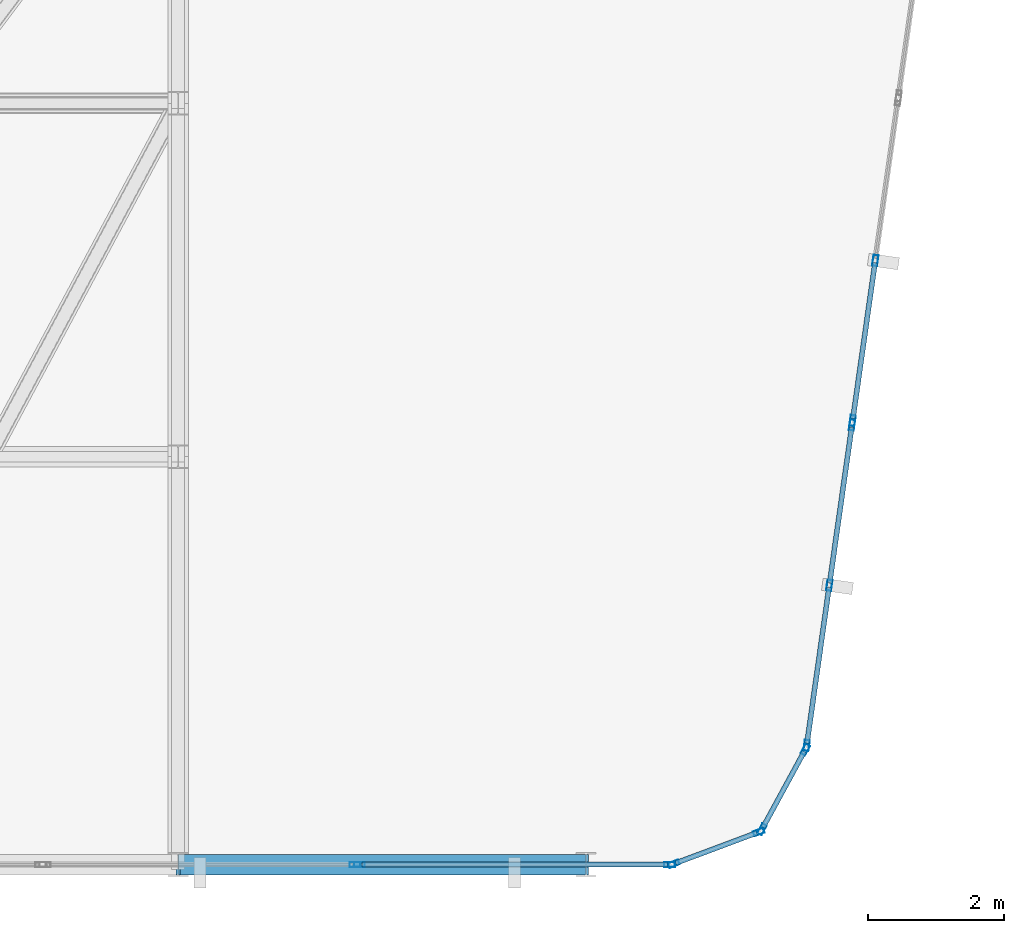
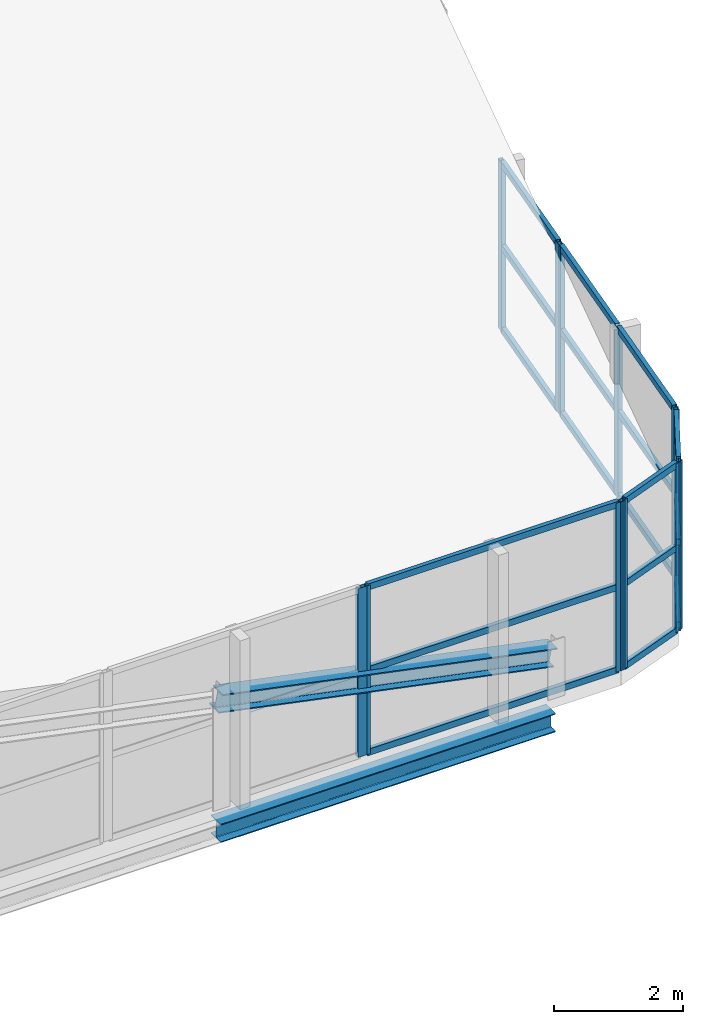
# One storey, part 20 of 74: 30 members, 2 beams, 6 elements without a shape of their own.
"""IFC4 building model written with IfcOpenShell, lengths in metres."""

from ifc_helpers import new_model, si_unit, direction, frame, origin, origin_2d, place, context, subcontext, project, spatial, hollow_rectangle, i_section, extrude, material, layer, layer_set, material_profile, profile_set, type_object, element, aggregate, save


model = new_model("IFC4")

# Units and contexts
model_context = context("Model", 3, precision=1e-05, world=origin(), true_north=direction((0.0, 1.0)))
body_context = subcontext(model_context, "Body", "Model", "MODEL_VIEW")
ifc_project = project(units=[si_unit("LENGTHUNIT", "METRE"), si_unit("AREAUNIT", "SQUARE_METRE"), si_unit("VOLUMEUNIT", "CUBIC_METRE"), si_unit("PLANEANGLEUNIT", "RADIAN"), si_unit("MASSUNIT", "GRAM", prefix="KILO")], contexts=[model_context])

# Site, building, storey
site_placement = place(None, origin())
site = spatial("IfcSite", under=ifc_project, at=site_placement, CompositionType="ELEMENT")
building_placement = place(site_placement, origin())
building = spatial("IfcBuilding", under=site, at=building_placement, Name="Keshet Zoharim Tower", CompositionType="ELEMENT")
storey_placement = place(building_placement, frame((0.0, 0.0, 320.0)))
storey = spatial("IfcBuildingStorey", under=building, at=storey_placement, Name="RF", CompositionType="ELEMENT", Elevation=320.0)

# Beams
ifc_material_1 = material(Name="Steel S355", Category="steel")
ifc_material_profile_1 = material_profile(ifc_material_1, i_section(OverallWidth=0.300048828125, OverallDepth=0.35009765625, WebThickness=0.010009765625, FlangeThickness=0.017578125, FilletRadius=0.027099609375, at=origin_2d()), Name="HEA360")
ifc_profile_set_1 = profile_set([ifc_material_profile_1], Name="Steel S355")
beam_type_1 = type_object("IfcBeamType", Name="BM-PRI-HA360", PredefinedType="BEAM", material=ifc_profile_set_1)
beam_1_placement = place(storey_placement, frame((33.0, 6.699951171875, -0.485107421875), z_axis=(1.0, 0.0, 0.0), x_axis=(0.0, 1.0, 0.0)))
element("IfcBeam", 1, at=beam_1_placement, inside=storey, type_object=beam_type_1, Name="RF Primary Girder X-003", PredefinedType="BEAM", context=body_context, shape_type="SweptSolid", body=[
    extrude(i_section(OverallWidth=0.300048828125, OverallDepth=0.35009765625, WebThickness=0.010009765625, FlangeThickness=0.017578125, FilletRadius=0.027099609375, at=origin_2d()), origin(), (0.0, 0.0, 1.0), 6.0),
])
ifc_material_profile_2 = material_profile(ifc_material_1, i_section(OverallWidth=0.300048828125, OverallDepth=0.340087890625, WebThickness=0.011962890625, FlangeThickness=0.021484375, FilletRadius=0.027099609375, at=origin_2d()), Name="HEB340")
ifc_profile_set_2 = profile_set([ifc_material_profile_2], Name="Steel S355")
beam_type_2 = type_object("IfcBeamType", Name="BM-SPN-HB340", PredefinedType="SPANDREL", material=ifc_profile_set_2)
beam_2_placement = place(storey_placement, frame((39.0, 6.699951171875, 0.74609375), z_axis=(-0.979831468779, 0.0, 0.199825655986), x_axis=(0.0, -1.0, 0.0)))
element("IfcBeam", 2, at=beam_2_placement, inside=storey, type_object=beam_type_2, Name="Crown Sloped Perimeter Ring Beam 03", PredefinedType="SPANDREL", context=body_context, shape_type="SweptSolid", body=[
    extrude(i_section(OverallWidth=0.300048828125, OverallDepth=0.340087890625, WebThickness=0.011962890625, FlangeThickness=0.021484375, FilletRadius=0.027099609375, at=origin_2d()), origin(), (0.0, 0.0, 1.0), 6.12353515625),
])

# Curtain wall, members
ifc_material_2 = material(Name="Aluminium 6063-T6", Category="aluminium")
ifc_layer = layer(ifc_material_2, 0.260009765625)
ifc_layer_set = layer_set([ifc_layer], Name="Aluminium 6063-T6")
curtain_wall_type = type_object("IfcCurtainWallType", Name="CW-SYS-06", PredefinedType="NOTDEFINED", material=ifc_layer_set)
curtain_wall_1_placement = place(storey_placement, origin())
curtain_wall_1 = element("IfcCurtainWall", 3, at=curtain_wall_1_placement, inside=storey, type_object=curtain_wall_type, Name="Slanted Crown Curtain Wall 24", PredefinedType="NOTDEFINED")
ifc_material_profile_3 = material_profile(ifc_material_2, hollow_rectangle(XDim=0.074951171875, YDim=0.159912109375, WallThickness=0.00390625, at=origin_2d()), Name="MUL-75x160")
ifc_profile_set_3 = profile_set([ifc_material_profile_3], Name="Aluminium 6063-T6")
member_type_1 = type_object("IfcMemberType", Name="CWM-M15", PredefinedType="MULLION", material=ifc_profile_set_3)
member_1_placement = place(storey_placement, frame((43.257568359375, 15.5869140625, 0.0), z_axis=(0.0, 0.0, 1.0), x_axis=(0.990110480863, -0.14028982745, 0.0)))
member_1 = element("IfcMember", 4, at=member_1_placement, type_object=member_type_1, Name="CW-06 mullion 2", PredefinedType="MULLION", context=body_context, shape_type="SweptSolid", body=[
    extrude(hollow_rectangle(XDim=0.074951171875, YDim=0.159912109375, WallThickness=0.00390625, at=origin_2d()), origin(), (0.0, 0.0, 1.0), 3.199951171875),
])
member_2_placement = place(storey_placement, frame((42.923583984375, 13.230224609375, 0.0), z_axis=(0.0, 0.0, 1.0), x_axis=(0.990110480863, -0.14028982745, 0.0)))
member_2 = element("IfcMember", 5, at=member_2_placement, type_object=member_type_1, Name="CW-06 mullion 3", PredefinedType="MULLION", context=body_context, shape_type="SweptSolid", body=[
    extrude(hollow_rectangle(XDim=0.074951171875, YDim=0.159912109375, WallThickness=0.00390625, at=origin_2d()), origin(), (0.0, 0.0, 1.0), 3.199951171875),
])

curtain_wall_2_placement = place(storey_placement, origin())
curtain_wall_2 = element("IfcCurtainWall", 6, at=curtain_wall_2_placement, inside=storey, type_object=curtain_wall_type, Name="Slanted Crown Curtain Wall 25", PredefinedType="NOTDEFINED")
member_3_placement = place(storey_placement, frame((42.91455078125, 13.165771484375, 0.0), z_axis=(0.0, 0.0, 1.0), x_axis=(0.990139244607, -0.140086674201, 0.0)))
member_3 = element("IfcMember", 7, at=member_3_placement, type_object=member_type_1, Name="CW-06 mullion 1", PredefinedType="MULLION", context=body_context, shape_type="SweptSolid", body=[
    extrude(hollow_rectangle(XDim=0.074951171875, YDim=0.159912109375, WallThickness=0.00390625, at=origin_2d()), origin(), (0.0, 0.0, 1.0), 3.199951171875),
])
member_4_placement = place(storey_placement, frame((42.5810546875, 10.80908203125, 0.0), z_axis=(0.0, 0.0, 1.0), x_axis=(0.990139244607, -0.140086674201, 0.0)))
member_4 = element("IfcMember", 8, at=member_4_placement, type_object=member_type_1, Name="CW-06 mullion 2", PredefinedType="MULLION", context=body_context, shape_type="SweptSolid", body=[
    extrude(hollow_rectangle(XDim=0.074951171875, YDim=0.159912109375, WallThickness=0.00390625, at=origin_2d()), origin(), (0.0, 0.0, 1.0), 3.199951171875),
])
member_5_placement = place(storey_placement, frame((42.24755859375, 8.4521484375, 0.0), z_axis=(0.0, 0.0, 1.0), x_axis=(0.990139244607, -0.140086674201, 0.0)))
member_5 = element("IfcMember", 9, at=member_5_placement, type_object=member_type_1, Name="CW-06 mullion 3", PredefinedType="MULLION", context=body_context, shape_type="SweptSolid", body=[
    extrude(hollow_rectangle(XDim=0.074951171875, YDim=0.159912109375, WallThickness=0.00390625, at=origin_2d()), origin(), (0.0, 0.0, 1.0), 3.199951171875),
])

curtain_wall_3_placement = place(storey_placement, origin())
curtain_wall_3 = element("IfcCurtainWall", 10, at=curtain_wall_3_placement, inside=storey, type_object=curtain_wall_type, Name="Slanted Crown Curtain Wall 26", PredefinedType="NOTDEFINED")
member_6_placement = place(storey_placement, frame((42.2275390625, 8.391357421875, 0.0), z_axis=(0.0, 0.0, 1.0), x_axis=(0.878468125004, -0.477800955789, 0.0)))
member_6 = element("IfcMember", 11, at=member_6_placement, type_object=member_type_1, Name="CW-06 mullion 1", PredefinedType="MULLION", context=body_context, shape_type="SweptSolid", body=[
    extrude(hollow_rectangle(XDim=0.074951171875, YDim=0.159912109375, WallThickness=0.00390625, at=origin_2d()), origin(), (0.0, 0.0, 1.0), 3.199951171875),
])
member_7_placement = place(storey_placement, frame((41.589599609375, 7.218505859375, 0.0), z_axis=(0.0, 0.0, 1.0), x_axis=(0.878468125004, -0.477800955789, 0.0)))
member_7 = element("IfcMember", 12, at=member_7_placement, type_object=member_type_1, Name="CW-06 mullion 2", PredefinedType="MULLION", context=body_context, shape_type="SweptSolid", body=[
    extrude(hollow_rectangle(XDim=0.074951171875, YDim=0.159912109375, WallThickness=0.00390625, at=origin_2d()), origin(), (0.0, 0.0, 1.0), 3.199951171875),
])

curtain_wall_4_placement = place(storey_placement, origin())
curtain_wall_4 = element("IfcCurtainWall", 13, at=curtain_wall_4_placement, inside=storey, type_object=curtain_wall_type, Name="Slanted Crown Curtain Wall 27", PredefinedType="NOTDEFINED")
member_8_placement = place(storey_placement, frame((41.54345703125, 7.1787109375, 0.0), z_axis=(0.0, 0.0, 1.0), x_axis=(0.350105315376, -0.936710343781, 0.0)))
member_8 = element("IfcMember", 14, at=member_8_placement, type_object=member_type_1, Name="CW-06 mullion 1", PredefinedType="MULLION", context=body_context, shape_type="SweptSolid", body=[
    extrude(hollow_rectangle(XDim=0.074951171875, YDim=0.159912109375, WallThickness=0.00390625, at=origin_2d()), origin(), (0.0, 0.0, 1.0), 3.199951171875),
])
member_9_placement = place(storey_placement, frame((40.29345703125, 6.71142578125, 0.0), z_axis=(0.0, 0.0, 1.0), x_axis=(0.350105315376, -0.936710343781, 0.0)))
member_9 = element("IfcMember", 15, at=member_9_placement, type_object=member_type_1, Name="CW-06 mullion 2", PredefinedType="MULLION", context=body_context, shape_type="SweptSolid", body=[
    extrude(hollow_rectangle(XDim=0.074951171875, YDim=0.159912109375, WallThickness=0.00390625, at=origin_2d()), origin(), (0.0, 0.0, 1.0), 3.199951171875),
])

curtain_wall_5_placement = place(storey_placement, origin())
curtain_wall_5 = element("IfcCurtainWall", 16, at=curtain_wall_5_placement, inside=storey, type_object=curtain_wall_type, Name="Slanted Crown Curtain Wall 28", PredefinedType="NOTDEFINED")
member_10_placement = place(storey_placement, frame((40.23046875, 6.699951171875, 0.0), z_axis=(0.0, 0.0, 1.0), x_axis=(0.0, -1.0, 0.0)))
member_10 = element("IfcMember", 17, at=member_10_placement, type_object=member_type_1, Name="CW-06 mullion 1", PredefinedType="MULLION", context=body_context, shape_type="SweptSolid", body=[
    extrude(hollow_rectangle(XDim=0.074951171875, YDim=0.159912109375, WallThickness=0.00390625, at=origin_2d()), origin(), (0.0, 0.0, 1.0), 3.199951171875),
])
member_11_placement = place(storey_placement, frame((35.66943359375, 6.699951171875, 0.0), z_axis=(0.0, 0.0, 1.0), x_axis=(0.0, -1.0, 0.0)))
member_11 = element("IfcMember", 18, at=member_11_placement, type_object=member_type_1, Name="CW-06 mullion 2", PredefinedType="MULLION", context=body_context, shape_type="SweptSolid", body=[
    extrude(hollow_rectangle(XDim=0.074951171875, YDim=0.159912109375, WallThickness=0.00390625, at=origin_2d()), origin(), (0.0, 0.0, 1.0), 3.199951171875),
])

# Curtain wall, member
curtain_wall_6_placement = place(storey_placement, origin())
curtain_wall_6 = element("IfcCurtainWall", 19, at=curtain_wall_6_placement, inside=storey, type_object=curtain_wall_type, Name="Slanted Crown Curtain Wall 29", PredefinedType="NOTDEFINED")
member_12_placement = place(storey_placement, frame((35.6044921875, 6.699951171875, 0.0), z_axis=(0.0, 0.0, 1.0), x_axis=(0.0, -1.0, 0.0)))
member_12 = element("IfcMember", 20, at=member_12_placement, type_object=member_type_1, Name="CW-06 mullion 1", PredefinedType="MULLION", context=body_context, shape_type="SweptSolid", body=[
    extrude(hollow_rectangle(XDim=0.074951171875, YDim=0.159912109375, WallThickness=0.00390625, at=origin_2d()), origin(), (0.0, 0.0, 1.0), 3.199951171875),
])
aggregate(curtain_wall_6, [member_12])

# Member
ifc_material_profile_4 = material_profile(ifc_material_2, hollow_rectangle(XDim=0.074951171875, YDim=0.1201171875, WallThickness=0.00390625, at=origin_2d()), Name="TRN-75x120")
ifc_profile_set_4 = profile_set([ifc_material_profile_4], Name="Aluminium 6063-T6")
member_type_2 = type_object("IfcMemberType", Name="CWT-T12", PredefinedType="USERDEFINED", material=ifc_profile_set_4)
member_13_placement = place(storey_placement, frame((43.2529296875, 15.554931640625, 0.032470703125), z_axis=(-0.140240284786, -0.990117499352, 0.0), x_axis=(0.990117499352, -0.140240284786, 0.0)))
member_13 = element("IfcMember", 21, at=member_13_placement, type_object=member_type_2, Name="CW-06 transom 2.1", ObjectType="TRANSOM", PredefinedType="USERDEFINED", context=body_context, shape_type="SweptSolid", body=[
    extrude(hollow_rectangle(XDim=0.074951171875, YDim=0.1201171875, WallThickness=0.00390625, at=origin_2d()), origin(), (0.0, 0.0, 1.0), 2.3154296875),
])

member_14_placement = place(storey_placement, frame((43.2529296875, 15.554931640625, 1.60009765625), z_axis=(-0.140240284786, -0.990117499352, 0.0), x_axis=(0.990117499352, -0.140240284786, 0.0)))
member_14 = element("IfcMember", 22, at=member_14_placement, type_object=member_type_2, Name="CW-06 transom 2.2", ObjectType="TRANSOM", PredefinedType="USERDEFINED", context=body_context, shape_type="SweptSolid", body=[
    extrude(hollow_rectangle(XDim=0.074951171875, YDim=0.1201171875, WallThickness=0.00390625, at=origin_2d()), origin(), (0.0, 0.0, 1.0), 2.3154296875),
])

member_15_placement = place(storey_placement, frame((43.2529296875, 15.554931640625, 3.16748046875), z_axis=(-0.140240284786, -0.990117499352, 0.0), x_axis=(0.990117499352, -0.140240284786, 0.0)))
member_15 = element("IfcMember", 23, at=member_15_placement, type_object=member_type_2, Name="CW-06 transom 2.3", ObjectType="TRANSOM", PredefinedType="USERDEFINED", context=body_context, shape_type="SweptSolid", body=[
    extrude(hollow_rectangle(XDim=0.074951171875, YDim=0.1201171875, WallThickness=0.00390625, at=origin_2d()), origin(), (0.0, 0.0, 1.0), 2.3154296875),
])

aggregate(curtain_wall_1, [member_1, member_2, member_13, member_14, member_15])

member_16_placement = place(storey_placement, frame((42.909912109375, 13.133544921875, 0.032470703125), z_axis=(-0.14013691247, -0.990132135507, 0.0), x_axis=(0.990132135507, -0.14013691247, 0.0)))
member_16 = element("IfcMember", 24, at=member_16_placement, type_object=member_type_2, Name="CW-06 transom 1.1", ObjectType="TRANSOM", PredefinedType="USERDEFINED", context=body_context, shape_type="SweptSolid", body=[
    extrude(hollow_rectangle(XDim=0.074951171875, YDim=0.1201171875, WallThickness=0.00390625, at=origin_2d()), origin(), (0.0, 0.0, 1.0), 2.3154296875),
])

member_17_placement = place(storey_placement, frame((42.909912109375, 13.133544921875, 1.60009765625), z_axis=(-0.14013691247, -0.990132135507, 0.0), x_axis=(0.990132135507, -0.14013691247, 0.0)))
member_17 = element("IfcMember", 25, at=member_17_placement, type_object=member_type_2, Name="CW-06 transom 1.2", ObjectType="TRANSOM", PredefinedType="USERDEFINED", context=body_context, shape_type="SweptSolid", body=[
    extrude(hollow_rectangle(XDim=0.074951171875, YDim=0.1201171875, WallThickness=0.00390625, at=origin_2d()), origin(), (0.0, 0.0, 1.0), 2.3154296875),
])

member_18_placement = place(storey_placement, frame((42.909912109375, 13.133544921875, 3.16748046875), z_axis=(-0.14013691247, -0.990132135507, 0.0), x_axis=(0.990132135507, -0.14013691247, 0.0)))
member_18 = element("IfcMember", 26, at=member_18_placement, type_object=member_type_2, Name="CW-06 transom 1.3", ObjectType="TRANSOM", PredefinedType="USERDEFINED", context=body_context, shape_type="SweptSolid", body=[
    extrude(hollow_rectangle(XDim=0.074951171875, YDim=0.1201171875, WallThickness=0.00390625, at=origin_2d()), origin(), (0.0, 0.0, 1.0), 2.3154296875),
])

member_19_placement = place(storey_placement, frame((42.576416015625, 10.77685546875, 0.032470703125), z_axis=(-0.140033535571, -0.990146761301, 0.0), x_axis=(0.990146761301, -0.140033535571, 0.0)))
member_19 = element("IfcMember", 27, at=member_19_placement, type_object=member_type_2, Name="CW-06 transom 2.1", ObjectType="TRANSOM", PredefinedType="USERDEFINED", context=body_context, shape_type="SweptSolid", body=[
    extrude(hollow_rectangle(XDim=0.074951171875, YDim=0.1201171875, WallThickness=0.00390625, at=origin_2d()), origin(), (0.0, 0.0, 1.0), 2.315185546875),
])

member_20_placement = place(storey_placement, frame((42.576416015625, 10.77685546875, 1.60009765625), z_axis=(-0.140033535571, -0.990146761301, 0.0), x_axis=(0.990146761301, -0.140033535571, 0.0)))
member_20 = element("IfcMember", 28, at=member_20_placement, type_object=member_type_2, Name="CW-06 transom 2.2", ObjectType="TRANSOM", PredefinedType="USERDEFINED", context=body_context, shape_type="SweptSolid", body=[
    extrude(hollow_rectangle(XDim=0.074951171875, YDim=0.1201171875, WallThickness=0.00390625, at=origin_2d()), origin(), (0.0, 0.0, 1.0), 2.315185546875),
])

member_21_placement = place(storey_placement, frame((42.576416015625, 10.77685546875, 3.16748046875), z_axis=(-0.140033535571, -0.990146761301, 0.0), x_axis=(0.990146761301, -0.140033535571, 0.0)))
member_21 = element("IfcMember", 29, at=member_21_placement, type_object=member_type_2, Name="CW-06 transom 2.3", ObjectType="TRANSOM", PredefinedType="USERDEFINED", context=body_context, shape_type="SweptSolid", body=[
    extrude(hollow_rectangle(XDim=0.074951171875, YDim=0.1201171875, WallThickness=0.00390625, at=origin_2d()), origin(), (0.0, 0.0, 1.0), 2.315185546875),
])

aggregate(curtain_wall_2, [member_3, member_4, member_5, member_16, member_17, member_18, member_19, member_20, member_21])

member_22_placement = place(storey_placement, frame((42.2119140625, 8.36279296875, 0.032470703125), z_axis=(-0.477855224233, -0.878438606092, 0.0), x_axis=(0.878438606092, -0.477855224233, 0.0)))
member_22 = element("IfcMember", 30, at=member_22_placement, type_object=member_type_2, Name="CW-06 transom 1.1", ObjectType="TRANSOM", PredefinedType="USERDEFINED", context=body_context, shape_type="SweptSolid", body=[
    extrude(hollow_rectangle(XDim=0.074951171875, YDim=0.1201171875, WallThickness=0.00390625, at=origin_2d()), origin(), (0.0, 0.0, 1.0), 1.27001953125),
])

member_23_placement = place(storey_placement, frame((42.2119140625, 8.36279296875, 1.60009765625), z_axis=(-0.477855224233, -0.878438606092, 0.0), x_axis=(0.878438606092, -0.477855224233, 0.0)))
member_23 = element("IfcMember", 31, at=member_23_placement, type_object=member_type_2, Name="CW-06 transom 1.2", ObjectType="TRANSOM", PredefinedType="USERDEFINED", context=body_context, shape_type="SweptSolid", body=[
    extrude(hollow_rectangle(XDim=0.074951171875, YDim=0.1201171875, WallThickness=0.00390625, at=origin_2d()), origin(), (0.0, 0.0, 1.0), 1.27001953125),
])

member_24_placement = place(storey_placement, frame((42.2119140625, 8.36279296875, 3.16748046875), z_axis=(-0.477855224233, -0.878438606092, 0.0), x_axis=(0.878438606092, -0.477855224233, 0.0)))
member_24 = element("IfcMember", 32, at=member_24_placement, type_object=member_type_2, Name="CW-06 transom 1.3", ObjectType="TRANSOM", PredefinedType="USERDEFINED", context=body_context, shape_type="SweptSolid", body=[
    extrude(hollow_rectangle(XDim=0.074951171875, YDim=0.1201171875, WallThickness=0.00390625, at=origin_2d()), origin(), (0.0, 0.0, 1.0), 1.27001953125),
])

aggregate(curtain_wall_3, [member_6, member_7, member_22, member_23, member_24])

member_25_placement = place(storey_placement, frame((41.51318359375, 7.167236328125, 0.032470703125), z_axis=(-0.936684317214, -0.350174941829, 0.0), x_axis=(0.350174941829, -0.936684317214, 0.0)))
member_25 = element("IfcMember", 33, at=member_25_placement, type_object=member_type_2, Name="CW-06 transom 1.1", ObjectType="TRANSOM", PredefinedType="USERDEFINED", context=body_context, shape_type="SweptSolid", body=[
    extrude(hollow_rectangle(XDim=0.074951171875, YDim=0.1201171875, WallThickness=0.00390625, at=origin_2d()), origin(), (0.0, 0.0, 1.0), 1.26953125),
])

member_26_placement = place(storey_placement, frame((41.51318359375, 7.167236328125, 1.60009765625), z_axis=(-0.936684317214, -0.350174941829, 0.0), x_axis=(0.350174941829, -0.936684317214, 0.0)))
member_26 = element("IfcMember", 34, at=member_26_placement, type_object=member_type_2, Name="CW-06 transom 1.2", ObjectType="TRANSOM", PredefinedType="USERDEFINED", context=body_context, shape_type="SweptSolid", body=[
    extrude(hollow_rectangle(XDim=0.074951171875, YDim=0.1201171875, WallThickness=0.00390625, at=origin_2d()), origin(), (0.0, 0.0, 1.0), 1.26953125),
])

member_27_placement = place(storey_placement, frame((41.51318359375, 7.167236328125, 3.16748046875), z_axis=(-0.936684317214, -0.350174941829, 0.0), x_axis=(0.350174941829, -0.936684317214, 0.0)))
member_27 = element("IfcMember", 35, at=member_27_placement, type_object=member_type_2, Name="CW-06 transom 1.3", ObjectType="TRANSOM", PredefinedType="USERDEFINED", context=body_context, shape_type="SweptSolid", body=[
    extrude(hollow_rectangle(XDim=0.074951171875, YDim=0.1201171875, WallThickness=0.00390625, at=origin_2d()), origin(), (0.0, 0.0, 1.0), 1.26953125),
])

aggregate(curtain_wall_4, [member_8, member_9, member_25, member_26, member_27])

member_28_placement = place(storey_placement, frame((40.197998046875, 6.699951171875, 0.032470703125), z_axis=(-1.0, 0.0, 0.0), x_axis=(0.0, -1.0, 0.0)))
member_28 = element("IfcMember", 36, at=member_28_placement, type_object=member_type_2, Name="CW-06 transom 1.1", ObjectType="TRANSOM", PredefinedType="USERDEFINED", context=body_context, shape_type="SweptSolid", body=[
    extrude(hollow_rectangle(XDim=0.074951171875, YDim=0.1201171875, WallThickness=0.00390625, at=origin_2d()), origin(), (0.0, 0.0, 1.0), 4.49609375),
])

member_29_placement = place(storey_placement, frame((40.197998046875, 6.699951171875, 1.60009765625), z_axis=(-1.0, 0.0, 0.0), x_axis=(0.0, -1.0, 0.0)))
member_29 = element("IfcMember", 37, at=member_29_placement, type_object=member_type_2, Name="CW-06 transom 1.2", ObjectType="TRANSOM", PredefinedType="USERDEFINED", context=body_context, shape_type="SweptSolid", body=[
    extrude(hollow_rectangle(XDim=0.074951171875, YDim=0.1201171875, WallThickness=0.00390625, at=origin_2d()), origin(), (0.0, 0.0, 1.0), 4.49609375),
])

member_30_placement = place(storey_placement, frame((40.197998046875, 6.699951171875, 3.16748046875), z_axis=(-1.0, 0.0, 0.0), x_axis=(0.0, -1.0, 0.0)))
member_30 = element("IfcMember", 38, at=member_30_placement, type_object=member_type_2, Name="CW-06 transom 1.3", ObjectType="TRANSOM", PredefinedType="USERDEFINED", context=body_context, shape_type="SweptSolid", body=[
    extrude(hollow_rectangle(XDim=0.074951171875, YDim=0.1201171875, WallThickness=0.00390625, at=origin_2d()), origin(), (0.0, 0.0, 1.0), 4.49609375),
])

aggregate(curtain_wall_5, [member_10, member_11, member_28, member_29, member_30])

save(model, "model.ifc")
